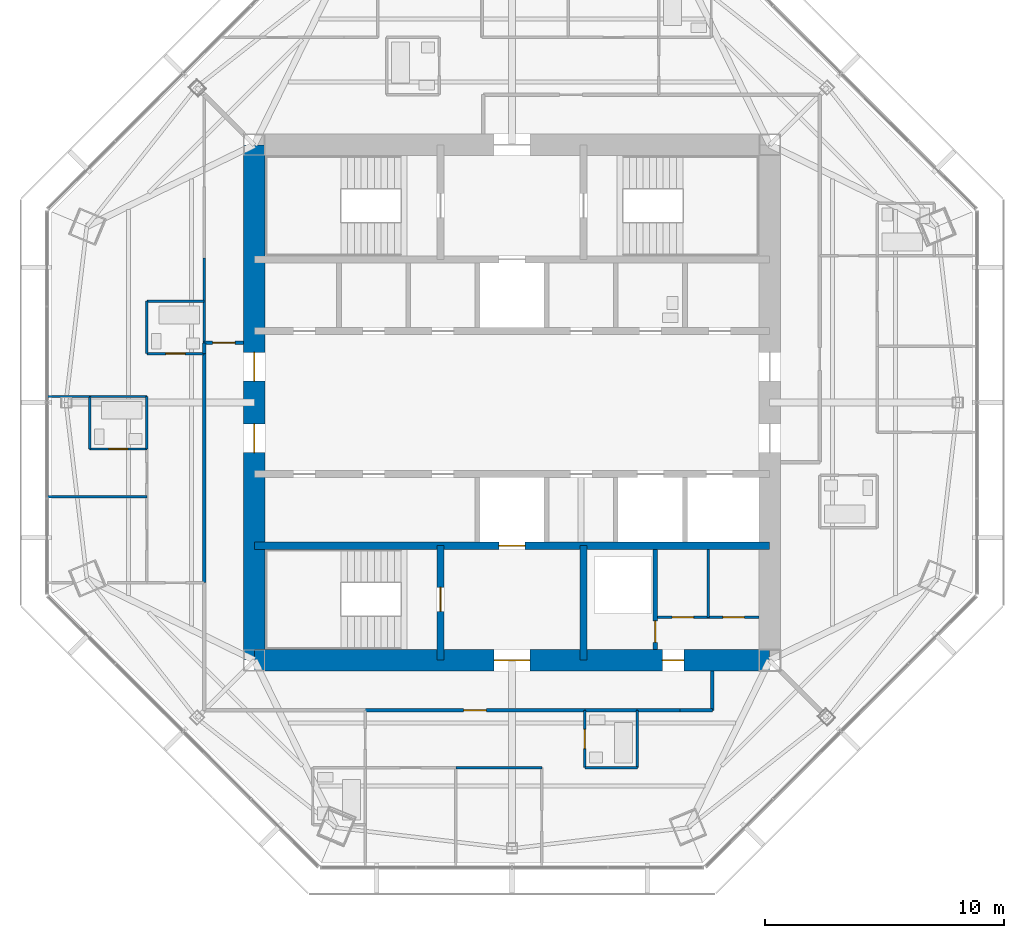
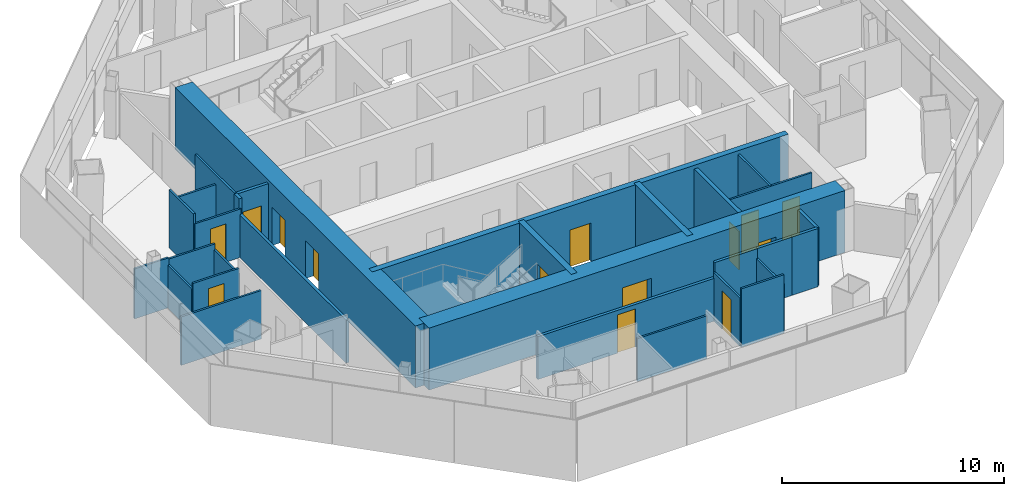
# One storey, part 9 of 15: 30 walls, 14 doors, 14 openings.
"""IFC4 building model written with IfcOpenShell, lengths in metres."""

from ifc_helpers import new_model, si_unit, direction, frame, frame_2d, origin, place, context, subcontext, project, spatial, rectangle, extrude, material, layer, layer_set, type_object, element, fill, save


model = new_model("IFC4")

# Units and contexts
model_context = context("Model", 3, precision=1e-05, world=origin(), true_north=direction((0.0, 1.0)))
body_context = subcontext(model_context, "Body", "Model", "MODEL_VIEW")
ifc_project = project(units=[si_unit("LENGTHUNIT", "METRE"), si_unit("AREAUNIT", "SQUARE_METRE"), si_unit("VOLUMEUNIT", "CUBIC_METRE"), si_unit("PLANEANGLEUNIT", "RADIAN"), si_unit("MASSUNIT", "GRAM", prefix="KILO")], contexts=[model_context])

# Site, building, storey
site_placement = place(None, origin())
site = spatial("IfcSite", under=ifc_project, at=site_placement, CompositionType="ELEMENT")
building_placement = place(site_placement, origin())
building = spatial("IfcBuilding", under=site, at=building_placement, Name="Mashrafa Tower", CompositionType="ELEMENT")
storey_placement = place(building_placement, frame((0.0, 0.0, 301.39990234375)))
storey = spatial("IfcBuildingStorey", under=building, at=storey_placement, Name="L74", CompositionType="ELEMENT", Elevation=301.39990234375)

# Wall, opening, door
ifc_material_1 = material(Name="Concrete masonry unit", Category="masonry")
ifc_layer_1 = layer(ifc_material_1, 0.199951171875)
ifc_layer_set_1 = layer_set([ifc_layer_1], Name="Blockwork wall 200 2 hr")
wall_type_1 = type_object("IfcWallType", Name="Blockwork wall 200 2 hr", PredefinedType="PARTITIONING", material=ifc_layer_set_1)
wall_1_placement = place(storey_placement, frame((6.0, -10.35009765625, 0.0), z_axis=(0.0, 0.0, 1.0), x_axis=(0.0, 1.0, 0.0)))
wall_1 = element("IfcWall", 1, at=wall_1_placement, inside=storey, type_object=wall_type_1, Name="Riser enclosure wall L74", PredefinedType="PARTITIONING", context=body_context, shape_type="SweptSolid", body=[
    extrude(rectangle(XDim=4.2001953125, YDim=0.199951171875, at=frame_2d((2.10009765625, 0.0))), origin(), (0.0, 0.0, 1.0), 3.2001953125),
])
opening_1_placement = place(wall_1_placement, frame((0.300048828125, 0.0, 0.0)))
opening_1 = element("IfcOpeningElement", 2, at=opening_1_placement, cuts=wall_1, Name="Opening 74.037", PredefinedType="OPENING", context=body_context, shape_type="SweptSolid", body=[
    extrude(rectangle(XDim=0.89990234375, YDim=2.10009765625, at=frame_2d((0.449951171875, 1.050048828125))), frame((0.0, 0.10986328125, 0.0), z_axis=(0.0, -1.0, 0.0), x_axis=(1.0, 0.0, 0.0)), (0.0, 0.0, 1.0), 0.219970703125),
])
ifc_material_2 = material(Name="Steel door", Category="steel")
door_type_1 = type_object("IfcDoorType", Name="Service door 900 x 2100 90 min", OperationType="USERDEFINED", PredefinedType="DOOR", material=ifc_material_2)
door_1_placement = place(opening_1_placement, origin())
door_1 = element("IfcDoor", 3, at=door_1_placement, inside=storey, type_object=door_type_1, Name="Riser door L74", OperationType="SINGLE_SWING_LEFT", OverallHeight=2.10009765625, OverallWidth=0.89990234375, PredefinedType="DOOR", context=body_context, shape_type="SweptSolid", body=[
    extrude(rectangle(XDim=0.89990234375, YDim=2.10009765625, at=frame_2d((0.449951171875, 1.050048828125))), frame((0.0, 0.02490234375, 0.0), z_axis=(0.0, -1.0, 0.0), x_axis=(1.0, 0.0, 0.0)), (0.0, 0.0, 1.0), 0.050048828125),
])
fill(opening_1, door_1)

ifc_material_3 = material(Name="Concrete C50/60", Category="concrete")
ifc_layer_2 = layer(ifc_material_3, 0.300048828125)
ifc_layer_set_2 = layer_set([ifc_layer_2], Name="Core wall 300 C50/60")
wall_type_2 = type_object("IfcWallType", Name="Core wall 300 C50/60", PredefinedType="SOLIDWALL", material=ifc_layer_set_2)
wall_2_placement = place(storey_placement, frame((-10.800048828125, -6.0, 0.0), z_axis=(0.0, 0.0, 1.0), x_axis=(1.0, 0.0, 0.0)))
wall_2 = element("IfcWall", 4, at=wall_2_placement, inside=storey, type_object=wall_type_2, Name="Core wall CB-S L74", PredefinedType="SOLIDWALL", context=body_context, shape_type="SweptSolid", body=[
    extrude(rectangle(XDim=21.60009765625, YDim=0.300048828125, at=frame_2d((10.800048828125, 0.0))), origin(), (0.0, 0.0, 1.0), 3.400146484375),
])
opening_2_placement = place(wall_2_placement, frame((10.25, 0.0, 0.0)))
opening_2 = element("IfcOpeningElement", 5, at=opening_2_placement, cuts=wall_2, Name="Opening 74.F2", PredefinedType="OPENING", context=body_context, shape_type="SweptSolid", body=[
    extrude(rectangle(XDim=1.10009765625, YDim=2.10009765625, at=frame_2d((0.550048828125, 1.050048828125))), frame((0.0, 0.159912109375, 0.0), z_axis=(0.0, -1.0, 0.0), x_axis=(1.0, 0.0, 0.0)), (0.0, 0.0, 1.0), 0.320068359375),
])
ifc_material_4 = material(Name="Steel door", Category="steel")
door_type_2 = type_object("IfcDoorType", Name="Lift landing door 1100 x 2100 90 min", OperationType="DOUBLE_DOOR_SLIDING", PredefinedType="DOOR", material=ifc_material_4)
door_2_placement = place(opening_2_placement, origin())
door_2 = element("IfcDoor", 6, at=door_2_placement, inside=storey, type_object=door_type_2, Name="Lift landing door F2 L74", OperationType="DOUBLE_DOOR_SLIDING", OverallHeight=2.10009765625, OverallWidth=1.10009765625, PredefinedType="DOOR", context=body_context, shape_type="SweptSolid", body=[
    extrude(rectangle(XDim=1.10009765625, YDim=2.10009765625, at=frame_2d((0.550048828125, 1.050048828125))), frame((0.0, 0.02490234375, 0.0), z_axis=(0.0, -1.0, 0.0), x_axis=(1.0, 0.0, 0.0)), (0.0, 0.0, 1.0), 0.050048828125),
])
fill(opening_2, door_2)

wall_3_placement = place(storey_placement, frame((-3.0, -6.0, 0.0), z_axis=(0.0, 0.0, 1.0), x_axis=(0.0, -1.0, 0.0)))
wall_3 = element("IfcWall", 7, at=wall_3_placement, inside=storey, type_object=wall_type_2, Name="Core wall CX-SW L74", PredefinedType="SOLIDWALL", context=body_context, shape_type="SweptSolid", body=[
    extrude(rectangle(XDim=4.800048828125, YDim=0.300048828125, at=frame_2d((2.39990234375, 0.0))), origin(), (0.0, 0.0, 1.0), 3.400146484375),
])
opening_3_placement = place(wall_3_placement, frame((1.75, 0.0, 0.0)))
opening_3 = element("IfcOpeningElement", 8, at=opening_3_placement, cuts=wall_3, Name="Opening 74.035", PredefinedType="OPENING", context=body_context, shape_type="SweptSolid", body=[
    extrude(rectangle(XDim=1.0, YDim=2.10009765625, at=frame_2d((0.5, 1.050048828125))), frame((0.0, 0.159912109375, 0.0), z_axis=(0.0, -1.0, 0.0), x_axis=(1.0, 0.0, 0.0)), (0.0, 0.0, 1.0), 0.320068359375),
])
ifc_material_5 = material(Name="Steel door", Category="steel")
door_type_3 = type_object("IfcDoorType", Name="Stair door 1000 x 2100 90 min", OperationType="USERDEFINED", PredefinedType="DOOR", material=ifc_material_5)
door_3_placement = place(opening_3_placement, frame((1.0, 0.0, 0.0), z_axis=(0.0, 0.0, 1.0), x_axis=(-1.0, 0.0, 0.0)))
door_3 = element("IfcDoor", 9, at=door_3_placement, inside=storey, type_object=door_type_3, Name="Stair S3 door L74", OperationType="SINGLE_SWING_RIGHT", OverallHeight=2.10009765625, OverallWidth=1.0, PredefinedType="DOOR", context=body_context, shape_type="SweptSolid", body=[
    extrude(rectangle(XDim=1.0, YDim=2.10009765625, at=frame_2d((0.5, 1.050048828125))), frame((0.0, 0.02490234375, 0.0), z_axis=(0.0, -1.0, 0.0), x_axis=(1.0, 0.0, 0.0)), (0.0, 0.0, 1.0), 0.050048828125),
])
fill(opening_3, door_3)

# Wall
wall_4_placement = place(storey_placement, frame((3.0, -6.0, 0.0), z_axis=(0.0, 0.0, 1.0), x_axis=(0.0, -1.0, 0.0)))
element("IfcWall", 10, at=wall_4_placement, inside=storey, type_object=wall_type_2, Name="Core wall CX-SE L74", PredefinedType="SOLIDWALL", context=body_context, shape_type="SweptSolid", body=[
    extrude(rectangle(XDim=4.800048828125, YDim=0.300048828125, at=frame_2d((2.39990234375, 0.0))), origin(), (0.0, 0.0, 1.0), 3.400146484375),
])

# Wall, openings, doors
ifc_material_6 = material(Name="Concrete C50/60", Category="concrete")
ifc_layer_3 = layer(ifc_material_6, 0.89990234375)
ifc_layer_set_3 = layer_set([ifc_layer_3], Name="Core wall 900 C50/60")
wall_type_3 = type_object("IfcWallType", Name="Core wall 900 C50/60", PredefinedType="SOLIDWALL", material=ifc_layer_set_3)
wall_5_placement = place(storey_placement, frame((-10.800048828125, -10.800048828125, 0.0), z_axis=(0.0, 0.0, 1.0), x_axis=(1.0, 0.0, 0.0)))
wall_5 = element("IfcWall", 11, at=wall_5_placement, inside=storey, type_object=wall_type_3, Name="Core wall CW-S L74", PredefinedType="SOLIDWALL", context=body_context, shape_type="SweptSolid", body=[
    extrude(rectangle(XDim=21.60009765625, YDim=0.89990234375, at=frame_2d((10.800048828125, 0.0))), origin(), (0.0, 0.0, 1.0), 3.400146484375),
])
opening_4_placement = place(wall_5_placement, frame((10.050048828125, 0.0, 0.0)))
opening_4 = element("IfcOpeningElement", 12, at=opening_4_placement, cuts=wall_5, Name="Opening 74.032", PredefinedType="OPENING", context=body_context, shape_type="SweptSolid", body=[
    extrude(rectangle(XDim=1.5, YDim=2.10009765625, at=frame_2d((0.75, 1.050048828125))), frame((0.0, 0.4599609375, 0.0), z_axis=(0.0, -1.0, 0.0), x_axis=(1.0, 0.0, 0.0)), (0.0, 0.0, 1.0), 0.919921875),
])
opening_5_placement = place(wall_5_placement, frame((17.10009765625, 0.0, 0.0)))
opening_5 = element("IfcOpeningElement", 13, at=opening_5_placement, cuts=wall_5, Name="Opening 74.036", PredefinedType="OPENING", context=body_context, shape_type="SweptSolid", body=[
    extrude(rectangle(XDim=0.89990234375, YDim=2.10009765625, at=frame_2d((0.449951171875, 1.050048828125))), frame((0.0, 0.4599609375, 0.0), z_axis=(0.0, -1.0, 0.0), x_axis=(1.0, 0.0, 0.0)), (0.0, 0.0, 1.0), 0.919921875),
])
ifc_material_7 = material(Name="Steel door", Category="steel")
door_type_4 = type_object("IfcDoorType", Name="Lobby door pair 1500 x 2100 90 min", OperationType="DOUBLE_DOOR_SINGLE_SWING", PredefinedType="DOOR", material=ifc_material_7)
door_4_placement = place(opening_4_placement, origin())
door_4 = element("IfcDoor", 14, at=door_4_placement, inside=storey, type_object=door_type_4, Name="Fire-fighting lobby F2 door L74", OperationType="DOUBLE_DOOR_SINGLE_SWING", OverallHeight=2.10009765625, OverallWidth=1.5, PredefinedType="DOOR", context=body_context, shape_type="SweptSolid", body=[
    extrude(rectangle(XDim=1.5, YDim=2.10009765625, at=frame_2d((0.75, 1.050048828125))), frame((0.0, 0.02490234375, 0.0), z_axis=(0.0, -1.0, 0.0), x_axis=(1.0, 0.0, 0.0)), (0.0, 0.0, 1.0), 0.050048828125),
])
fill(opening_4, door_4)
door_5_placement = place(opening_5_placement, frame((0.89990234375, 0.0, 0.0), z_axis=(0.0, 0.0, 1.0), x_axis=(-1.0, 0.0, 0.0)))
door_5 = element("IfcDoor", 15, at=door_5_placement, inside=storey, type_object=door_type_1, Name="Services Lobby L74 door", OperationType="SINGLE_SWING_LEFT", OverallHeight=2.10009765625, OverallWidth=0.89990234375, PredefinedType="DOOR", context=body_context, shape_type="SweptSolid", body=[
    extrude(rectangle(XDim=0.89990234375, YDim=2.10009765625, at=frame_2d((0.449951171875, 1.050048828125))), frame((0.0, 0.02490234375, 0.0), z_axis=(0.0, -1.0, 0.0), x_axis=(1.0, 0.0, 0.0)), (0.0, 0.0, 1.0), 0.050048828125),
])
fill(opening_5, door_5)

wall_6_placement = place(storey_placement, frame((-10.800048828125, 10.800048828125, 0.0), z_axis=(0.0, 0.0, 1.0), x_axis=(0.0, -1.0, 0.0)))
wall_6 = element("IfcWall", 16, at=wall_6_placement, inside=storey, type_object=wall_type_3, Name="Core wall CW-W L74", PredefinedType="SOLIDWALL", context=body_context, shape_type="SweptSolid", body=[
    extrude(rectangle(XDim=21.60009765625, YDim=0.89990234375, at=frame_2d((10.800048828125, 0.0))), origin(), (0.0, 0.0, 1.0), 3.400146484375),
])
opening_6_placement = place(wall_6_placement, frame((8.699951171875, 0.0, 0.0)))
opening_6 = element("IfcOpeningElement", 17, at=opening_6_placement, cuts=wall_6, Name="Opening 74.028", PredefinedType="OPENING", context=body_context, shape_type="SweptSolid", body=[
    extrude(rectangle(XDim=1.199951171875, YDim=2.10009765625, at=frame_2d((0.60009765625, 1.050048828125))), frame((0.0, 0.4599609375, 0.0), z_axis=(0.0, -1.0, 0.0), x_axis=(1.0, 0.0, 0.0)), (0.0, 0.0, 1.0), 0.919921875),
])
opening_7_placement = place(wall_6_placement, frame((11.699951171875, 0.0, 0.0)))
opening_7 = element("IfcOpeningElement", 18, at=opening_7_placement, cuts=wall_6, Name="Opening 74.030", PredefinedType="OPENING", context=body_context, shape_type="SweptSolid", body=[
    extrude(rectangle(XDim=1.199951171875, YDim=2.10009765625, at=frame_2d((0.60009765625, 1.050048828125))), frame((0.0, 0.4599609375, 0.0), z_axis=(0.0, -1.0, 0.0), x_axis=(1.0, 0.0, 0.0)), (0.0, 0.0, 1.0), 0.919921875),
])
ifc_material_8 = material(Name="Steel door", Category="steel")
door_type_5 = type_object("IfcDoorType", Name="Lift hall door 1200 x 2100 90 min", OperationType="USERDEFINED", PredefinedType="DOOR", material=ifc_material_8)
door_6_placement = place(opening_6_placement, origin())
door_6 = element("IfcDoor", 19, at=door_6_placement, inside=storey, type_object=door_type_5, Name="Lift hall door west L74", OperationType="SINGLE_SWING_LEFT", OverallHeight=2.10009765625, OverallWidth=1.199951171875, PredefinedType="DOOR", context=body_context, shape_type="SweptSolid", body=[
    extrude(rectangle(XDim=1.199951171875, YDim=2.10009765625, at=frame_2d((0.60009765625, 1.050048828125))), frame((0.0, 0.02490234375, 0.0), z_axis=(0.0, -1.0, 0.0), x_axis=(1.0, 0.0, 0.0)), (0.0, 0.0, 1.0), 0.050048828125),
])
fill(opening_6, door_6)
door_7_placement = place(opening_7_placement, frame((1.199951171875, 0.0, 0.0), z_axis=(0.0, 0.0, 1.0), x_axis=(-1.0, 0.0, 0.0)))
door_7 = element("IfcDoor", 20, at=door_7_placement, inside=storey, type_object=door_type_5, Name="Lift hall door west L74", OperationType="SINGLE_SWING_RIGHT", OverallHeight=2.10009765625, OverallWidth=1.199951171875, PredefinedType="DOOR", context=body_context, shape_type="SweptSolid", body=[
    extrude(rectangle(XDim=1.199951171875, YDim=2.10009765625, at=frame_2d((0.60009765625, 1.050048828125))), frame((0.0, 0.02490234375, 0.0), z_axis=(0.0, -1.0, 0.0), x_axis=(1.0, 0.0, 0.0)), (0.0, 0.0, 1.0), 0.050048828125),
])
fill(opening_7, door_7)

# Walls
ifc_material_9 = material(Name="Gypsum board on steel studs", Category="steel")
ifc_layer_4 = layer(ifc_material_9, 0.14990234375)
ifc_layer_set_4 = layer_set([ifc_layer_4], Name="Corridor partition 150 1 hr")
wall_type_4 = type_object("IfcWallType", Name="Corridor partition 150 1 hr", PredefinedType="PARTITIONING", material=ifc_layer_set_4)
wall_7_placement = place(storey_placement, frame((-12.89990234375, 2.5, 0.0), z_axis=(0.0, 0.0, 1.0), x_axis=(0.0, -1.0, 0.0)))
element("IfcWall", 21, at=wall_7_placement, inside=storey, type_object=wall_type_4, Name="Corridor wall L74-007", PredefinedType="PARTITIONING", context=body_context, shape_type="SweptSolid", body=[
    extrude(rectangle(XDim=0.450927734375, YDim=0.14990234375, at=frame_2d((0.2255859375, 0.0))), origin(), (0.0, 0.0, 1.0), 3.2001953125),
])
wall_8_placement = place(storey_placement, frame((-12.89990234375, 2.051025390625, 0.0), z_axis=(0.0, 0.0, 1.0), x_axis=(0.0, -1.0, 0.0)))
element("IfcWall", 22, at=wall_8_placement, inside=storey, type_object=wall_type_4, Name="Corridor wall L74-009", PredefinedType="PARTITIONING", context=body_context, shape_type="SweptSolid", body=[
    extrude(rectangle(XDim=9.60205078125, YDim=0.14990234375, at=frame_2d((4.801025390625, 0.0))), origin(), (0.0, 0.0, 1.0), 2.349365234375),
])
wall_9_placement = place(storey_placement, frame((5.2490234375, -12.89990234375, 0.0), z_axis=(0.0, 0.0, 1.0), x_axis=(1.0, 0.0, 0.0)))
element("IfcWall", 23, at=wall_9_placement, inside=storey, type_object=wall_type_4, Name="Corridor wall L74-010", PredefinedType="PARTITIONING", context=body_context, shape_type="SweptSolid", body=[
    extrude(rectangle(XDim=1.802001953125, YDim=0.14990234375, at=frame_2d((0.90087890625, 0.0))), origin(), (0.0, 0.0, 1.0), 3.2001953125),
])
wall_10_placement = place(storey_placement, frame((3.049072265625, -12.89990234375, 0.0), z_axis=(0.0, 0.0, 1.0), x_axis=(1.0, 0.0, 0.0)))
element("IfcWall", 24, at=wall_10_placement, inside=storey, type_object=wall_type_4, Name="Corridor wall L74-011", PredefinedType="PARTITIONING", context=body_context, shape_type="SweptSolid", body=[
    extrude(rectangle(XDim=2.201904296875, YDim=0.14990234375, at=frame_2d((1.10107421875, 0.0))), origin(), (0.0, 0.0, 1.0), 3.2001953125),
])

# Wall, opening, door
wall_11_placement = place(storey_placement, frame((-6.15087890625, -12.89990234375, 0.0), z_axis=(0.0, 0.0, 1.0), x_axis=(1.0, 0.0, 0.0)))
wall_11 = element("IfcWall", 25, at=wall_11_placement, inside=storey, type_object=wall_type_4, Name="Corridor wall L74-013", PredefinedType="PARTITIONING", context=body_context, shape_type="SweptSolid", body=[
    extrude(rectangle(XDim=9.201904296875, YDim=0.14990234375, at=frame_2d((4.60107421875, 0.0))), origin(), (0.0, 0.0, 1.0), 2.349365234375),
])
opening_8_placement = place(wall_11_placement, frame((4.1259765625, 0.0, 0.0)))
opening_8 = element("IfcOpeningElement", 26, at=opening_8_placement, cuts=wall_11, Name="Opening 74.025", PredefinedType="OPENING", context=body_context, shape_type="SweptSolid", body=[
    extrude(rectangle(XDim=0.949951171875, YDim=2.10009765625, at=frame_2d((0.47509765625, 1.050048828125))), frame((0.0, 0.0849609375, 0.0), z_axis=(0.0, -1.0, 0.0), x_axis=(1.0, 0.0, 0.0)), (0.0, 0.0, 1.0), 0.169921875),
])
ifc_material_10 = material(Name="Steel door", Category="steel")
door_type_6 = type_object("IfcDoorType", Name="Residence entrance door 950 x 2100 20 min", OperationType="USERDEFINED", PredefinedType="DOOR", material=ifc_material_10)
door_8_placement = place(opening_8_placement, frame((0.949951171875, 0.0, 0.0), z_axis=(0.0, 0.0, 1.0), x_axis=(-1.0, 0.0, 0.0)))
door_8 = element("IfcDoor", 27, at=door_8_placement, inside=storey, type_object=door_type_6, Name="Apartment 7404 Living Room door", OperationType="SINGLE_SWING_RIGHT", OverallHeight=2.10009765625, OverallWidth=0.949951171875, PredefinedType="DOOR", context=body_context, shape_type="SweptSolid", body=[
    extrude(rectangle(XDim=0.949951171875, YDim=2.10009765625, at=frame_2d((0.47509765625, 1.050048828125))), frame((0.0, 0.02490234375, 0.0), z_axis=(0.0, -1.0, 0.0), x_axis=(1.0, 0.0, 0.0)), (0.0, 0.0, 1.0), 0.050048828125),
])
fill(opening_8, door_8)

# Walls
wall_12_placement = place(storey_placement, frame((7.049072265625, -12.89990234375, 0.0), z_axis=(0.0, 0.0, 1.0), x_axis=(1.0, 0.0, 0.0)))
element("IfcWall", 28, at=wall_12_placement, inside=storey, type_object=wall_type_4, Name="Corridor wall L74-014", PredefinedType="PARTITIONING", context=body_context, shape_type="SweptSolid", body=[
    extrude(rectangle(XDim=1.350830078125, YDim=0.14990234375, at=frame_2d((0.67529296875, 0.0))), origin(), (0.0, 0.0, 1.0), 3.2001953125),
])
wall_13_placement = place(storey_placement, frame((8.39990234375, -12.89990234375, 0.0), z_axis=(0.0, 0.0, 1.0), x_axis=(0.0, 1.0, 0.0)))
element("IfcWall", 29, at=wall_13_placement, inside=storey, type_object=wall_type_4, Name="Corridor wall L74-015", PredefinedType="PARTITIONING", context=body_context, shape_type="SweptSolid", body=[
    extrude(rectangle(XDim=1.64990234375, YDim=0.14990234375, at=frame_2d((0.824951171875, 0.0))), origin(), (0.0, 0.0, 1.0), 3.2001953125),
])

# Wall, opening, door
wall_14_placement = place(storey_placement, frame((-11.25, 2.5, 0.0), z_axis=(0.0, 0.0, 1.0), x_axis=(-1.0, 0.0, 0.0)))
wall_14 = element("IfcWall", 30, at=wall_14_placement, inside=storey, type_object=wall_type_4, Name="Corridor wall L74-016", PredefinedType="PARTITIONING", context=body_context, shape_type="SweptSolid", body=[
    extrude(rectangle(XDim=1.64990234375, YDim=0.14990234375, at=frame_2d((0.824951171875, 0.0))), origin(), (0.0, 0.0, 1.0), 3.2001953125),
])
opening_9_placement = place(wall_14_placement, frame((0.35009765625, 0.0, 0.0)))
opening_9 = element("IfcOpeningElement", 31, at=opening_9_placement, cuts=wall_14, Name="Opening 74.026", PredefinedType="OPENING", context=body_context, shape_type="SweptSolid", body=[
    extrude(rectangle(XDim=0.949951171875, YDim=2.10009765625, at=frame_2d((0.47509765625, 1.050048828125))), frame((0.0, 0.0849609375, 0.0), z_axis=(0.0, -1.0, 0.0), x_axis=(1.0, 0.0, 0.0)), (0.0, 0.0, 1.0), 0.169921875),
])
door_9_placement = place(opening_9_placement, origin())
door_9 = element("IfcDoor", 32, at=door_9_placement, inside=storey, type_object=door_type_6, Name="Apartment 7403 Entrance Hall door", OperationType="SINGLE_SWING_RIGHT", OverallHeight=2.10009765625, OverallWidth=0.949951171875, PredefinedType="DOOR", context=body_context, shape_type="SweptSolid", body=[
    extrude(rectangle(XDim=0.949951171875, YDim=2.10009765625, at=frame_2d((0.47509765625, 1.050048828125))), frame((0.0, 0.02490234375, 0.0), z_axis=(0.0, -1.0, 0.0), x_axis=(1.0, 0.0, 0.0)), (0.0, 0.0, 1.0), 0.050048828125),
])
fill(opening_9, door_9)

# Walls
ifc_material_11 = material(Name="Gypsum board on steel studs", Category="steel")
ifc_layer_5 = layer(ifc_material_11, 0.10009765625)
ifc_layer_set_5 = layer_set([ifc_layer_5], Name="Partition 100")
wall_type_5 = type_object("IfcWallType", Name="Partition 100", PredefinedType="PARTITIONING", material=ifc_layer_set_5)
wall_15_placement = place(storey_placement, frame((-15.300048828125, 4.25, 0.0), z_axis=(0.0, 0.0, 1.0), x_axis=(1.0, 0.0, 0.0)))
element("IfcWall", 33, at=wall_15_placement, inside=storey, type_object=wall_type_5, Name="Partition wall L74-052", PredefinedType="PARTITIONING", context=body_context, shape_type="SweptSolid", body=[
    extrude(rectangle(XDim=2.400146484375, YDim=0.10009765625, at=frame_2d((1.2001953125, 0.0))), origin(), (0.0, 0.0, 1.0), 2.661865234375),
])
wall_16_placement = place(storey_placement, frame((-12.89990234375, 6.050048828125, 0.0), z_axis=(0.0, 0.0, 1.0), x_axis=(0.0, -1.0, 0.0)))
element("IfcWall", 34, at=wall_16_placement, inside=storey, type_object=wall_type_5, Name="Partition wall L74-053", PredefinedType="PARTITIONING", context=body_context, shape_type="SweptSolid", body=[
    extrude(rectangle(XDim=3.551025390625, YDim=0.10009765625, at=frame_2d((1.775390625, 0.0))), origin(), (0.0, 0.0, 1.0), 3.2001953125),
])
wall_17_placement = place(storey_placement, frame((-15.300048828125, 4.25, 0.0), z_axis=(0.0, 0.0, 1.0), x_axis=(0.0, -1.0, 0.0)))
element("IfcWall", 35, at=wall_17_placement, inside=storey, type_object=wall_type_5, Name="Partition wall L74-054", PredefinedType="PARTITIONING", context=body_context, shape_type="SweptSolid", body=[
    extrude(rectangle(XDim=2.199951171875, YDim=0.10009765625, at=frame_2d((1.10009765625, 0.0))), origin(), (0.0, 0.0, 1.0), 3.2001953125),
])

# Wall, opening, door
wall_18_placement = place(storey_placement, frame((-15.300048828125, 2.050048828125, 0.0), z_axis=(0.0, 0.0, 1.0), x_axis=(1.0, 0.0, 0.0)))
wall_18 = element("IfcWall", 36, at=wall_18_placement, inside=storey, type_object=wall_type_5, Name="Partition wall L74-055", PredefinedType="PARTITIONING", context=body_context, shape_type="SweptSolid", body=[
    extrude(rectangle(XDim=2.400146484375, YDim=0.10009765625, at=frame_2d((1.2001953125, 0.0))), origin(), (0.0, 0.0, 1.0), 2.661865234375),
])
opening_10_placement = place(wall_18_placement, frame((0.800048828125, 0.0, 0.0)))
opening_10 = element("IfcOpeningElement", 37, at=opening_10_placement, cuts=wall_18, Name="Opening 74.014", PredefinedType="OPENING", context=body_context, shape_type="SweptSolid", body=[
    extrude(rectangle(XDim=0.800048828125, YDim=2.10009765625, at=frame_2d((0.39990234375, 1.050048828125))), frame((0.0, 0.06005859375, 0.0), z_axis=(0.0, -1.0, 0.0), x_axis=(1.0, 0.0, 0.0)), (0.0, 0.0, 1.0), 0.1201171875),
])
ifc_material_12 = material(Name="Timber door", Category="wood")
door_type_7 = type_object("IfcDoorType", Name="Bathroom door 800 x 2100", OperationType="USERDEFINED", PredefinedType="DOOR", material=ifc_material_12)
door_10_placement = place(opening_10_placement, origin())
door_10 = element("IfcDoor", 38, at=door_10_placement, inside=storey, type_object=door_type_7, Name="Apartment 7403 Bathroom door", OperationType="SINGLE_SWING_RIGHT", OverallHeight=2.10009765625, OverallWidth=0.800048828125, PredefinedType="DOOR", context=body_context, shape_type="SweptSolid", body=[
    extrude(rectangle(XDim=0.800048828125, YDim=2.10009765625, at=frame_2d((0.39990234375, 1.050048828125))), frame((0.0, 0.02490234375, 0.0), z_axis=(0.0, -1.0, 0.0), x_axis=(1.0, 0.0, 0.0)), (0.0, 0.0, 1.0), 0.050048828125),
])
fill(opening_10, door_10)

# Wall
wall_19_placement = place(storey_placement, frame((-17.699951171875, 0.25, 0.0), z_axis=(0.0, 0.0, 1.0), x_axis=(0.0, -1.0, 0.0)))
element("IfcWall", 39, at=wall_19_placement, inside=storey, type_object=wall_type_5, Name="Partition wall L74-057", PredefinedType="PARTITIONING", context=body_context, shape_type="SweptSolid", body=[
    extrude(rectangle(XDim=2.199951171875, YDim=0.10009765625, at=frame_2d((1.10009765625, 0.0))), origin(), (0.0, 0.0, 1.0), 2.349365234375),
])

# Wall, opening, door
wall_20_placement = place(storey_placement, frame((-17.699951171875, -1.949951171875, 0.0), z_axis=(0.0, 0.0, 1.0), x_axis=(1.0, 0.0, 0.0)))
wall_20 = element("IfcWall", 40, at=wall_20_placement, inside=storey, type_object=wall_type_5, Name="Partition wall L74-058", PredefinedType="PARTITIONING", context=body_context, shape_type="SweptSolid", body=[
    extrude(rectangle(XDim=2.39990234375, YDim=0.10009765625, at=frame_2d((1.199951171875, 0.0))), origin(), (0.0, 0.0, 1.0), 2.661865234375),
])
opening_11_placement = place(wall_20_placement, frame((0.800048828125, 0.0, 0.0)))
opening_11 = element("IfcOpeningElement", 41, at=opening_11_placement, cuts=wall_20, Name="Opening 74.015", PredefinedType="OPENING", context=body_context, shape_type="SweptSolid", body=[
    extrude(rectangle(XDim=0.800048828125, YDim=2.10009765625, at=frame_2d((0.39990234375, 1.050048828125))), frame((0.0, 0.06005859375, 0.0), z_axis=(0.0, -1.0, 0.0), x_axis=(1.0, 0.0, 0.0)), (0.0, 0.0, 1.0), 0.1201171875),
])
door_11_placement = place(opening_11_placement, origin())
door_11 = element("IfcDoor", 42, at=door_11_placement, inside=storey, type_object=door_type_7, Name="Apartment 7403 En-suite Bathroom door", OperationType="SINGLE_SWING_RIGHT", OverallHeight=2.10009765625, OverallWidth=0.800048828125, PredefinedType="DOOR", context=body_context, shape_type="SweptSolid", body=[
    extrude(rectangle(XDim=0.800048828125, YDim=2.10009765625, at=frame_2d((0.39990234375, 1.050048828125))), frame((0.0, 0.02490234375, 0.0), z_axis=(0.0, -1.0, 0.0), x_axis=(1.0, 0.0, 0.0)), (0.0, 0.0, 1.0), 0.050048828125),
])
fill(opening_11, door_11)

# Walls
wall_21_placement = place(storey_placement, frame((-15.300048828125, -1.949951171875, 0.0), z_axis=(0.0, 0.0, 1.0), x_axis=(0.0, 1.0, 0.0)))
element("IfcWall", 43, at=wall_21_placement, inside=storey, type_object=wall_type_5, Name="Partition wall L74-059", PredefinedType="PARTITIONING", context=body_context, shape_type="SweptSolid", body=[
    extrude(rectangle(XDim=2.199951171875, YDim=0.10009765625, at=frame_2d((1.10009765625, 0.0))), origin(), (0.0, 0.0, 1.0), 2.349365234375),
])
wall_22_placement = place(storey_placement, frame((-15.300048828125, 0.25, 0.0), z_axis=(0.0, 0.0, 1.0), x_axis=(-1.0, 0.0, 0.0)))
element("IfcWall", 44, at=wall_22_placement, inside=storey, type_object=wall_type_5, Name="Partition wall L74-060", PredefinedType="PARTITIONING", context=body_context, shape_type="SweptSolid", body=[
    extrude(rectangle(XDim=2.39990234375, YDim=0.10009765625, at=frame_2d((1.199951171875, 0.0))), origin(), (0.0, 0.0, 1.0), 2.661865234375),
])
wall_23_placement = place(storey_placement, frame((-19.470458984375, -3.949951171875, 0.0), z_axis=(0.0, 0.0, 1.0), x_axis=(1.0, 0.0, 0.0)))
element("IfcWall", 45, at=wall_23_placement, inside=storey, type_object=wall_type_5, Name="Partition wall L74-061", PredefinedType="PARTITIONING", context=body_context, shape_type="SweptSolid", body=[
    extrude(rectangle(XDim=4.17041015625, YDim=0.10009765625, at=frame_2d((2.085205078125, 0.0))), origin(), (0.0, 0.0, 1.0), 2.661865234375),
])
wall_24_placement = place(storey_placement, frame((-17.699951171875, 0.25, 0.0), z_axis=(0.0, 0.0, 1.0), x_axis=(-1.0, 0.0, 0.0)))
element("IfcWall", 46, at=wall_24_placement, inside=storey, type_object=wall_type_5, Name="Partition wall L74-062", PredefinedType="PARTITIONING", context=body_context, shape_type="SweptSolid", body=[
    extrude(rectangle(XDim=1.7705078125, YDim=0.10009765625, at=frame_2d((0.88525390625, 0.0))), origin(), (0.0, 0.0, 1.0), 2.740478515625),
])
wall_25_placement = place(storey_placement, frame((5.25, -12.89990234375, 0.0), z_axis=(0.0, 0.0, 1.0), x_axis=(0.0, -1.0, 0.0)))
element("IfcWall", 47, at=wall_25_placement, inside=storey, type_object=wall_type_5, Name="Partition wall L74-069", PredefinedType="PARTITIONING", context=body_context, shape_type="SweptSolid", body=[
    extrude(rectangle(XDim=2.400146484375, YDim=0.10009765625, at=frame_2d((1.2001953125, 0.0))), origin(), (0.0, 0.0, 1.0), 2.661865234375),
])

# Wall, opening, door
wall_26_placement = place(storey_placement, frame((3.050048828125, -12.89990234375, 0.0), z_axis=(0.0, 0.0, 1.0), x_axis=(0.0, -1.0, 0.0)))
wall_26 = element("IfcWall", 48, at=wall_26_placement, inside=storey, type_object=wall_type_5, Name="Partition wall L74-070", PredefinedType="PARTITIONING", context=body_context, shape_type="SweptSolid", body=[
    extrude(rectangle(XDim=2.400146484375, YDim=0.10009765625, at=frame_2d((1.2001953125, 0.0))), origin(), (0.0, 0.0, 1.0), 2.661865234375),
])
opening_12_placement = place(wall_26_placement, frame((0.800048828125, 0.0, 0.0)))
opening_12 = element("IfcOpeningElement", 49, at=opening_12_placement, cuts=wall_26, Name="Opening 74.020", PredefinedType="OPENING", context=body_context, shape_type="SweptSolid", body=[
    extrude(rectangle(XDim=0.800048828125, YDim=2.10009765625, at=frame_2d((0.39990234375, 1.050048828125))), frame((0.0, 0.06005859375, 0.0), z_axis=(0.0, -1.0, 0.0), x_axis=(1.0, 0.0, 0.0)), (0.0, 0.0, 1.0), 0.1201171875),
])
door_12_placement = place(opening_12_placement, origin())
door_12 = element("IfcDoor", 50, at=door_12_placement, inside=storey, type_object=door_type_7, Name="Apartment 7404 Bathroom door", OperationType="SINGLE_SWING_LEFT", OverallHeight=2.10009765625, OverallWidth=0.800048828125, PredefinedType="DOOR", context=body_context, shape_type="SweptSolid", body=[
    extrude(rectangle(XDim=0.800048828125, YDim=2.10009765625, at=frame_2d((0.39990234375, 1.050048828125))), frame((0.0, 0.02490234375, 0.0), z_axis=(0.0, -1.0, 0.0), x_axis=(1.0, 0.0, 0.0)), (0.0, 0.0, 1.0), 0.050048828125),
])
fill(opening_12, door_12)

# Walls
wall_27_placement = place(storey_placement, frame((3.050048828125, -15.300048828125, 0.0), z_axis=(0.0, 0.0, 1.0), x_axis=(1.0, 0.0, 0.0)))
element("IfcWall", 51, at=wall_27_placement, inside=storey, type_object=wall_type_5, Name="Partition wall L74-071", PredefinedType="PARTITIONING", context=body_context, shape_type="SweptSolid", body=[
    extrude(rectangle(XDim=2.199951171875, YDim=0.10009765625, at=frame_2d((1.10009765625, 0.0))), origin(), (0.0, 0.0, 1.0), 3.2001953125),
])
wall_28_placement = place(storey_placement, frame((1.25, -15.300048828125, 0.0), z_axis=(0.0, 0.0, 1.0), x_axis=(-1.0, 0.0, 0.0)))
element("IfcWall", 52, at=wall_28_placement, inside=storey, type_object=wall_type_5, Name="Partition wall L74-074", PredefinedType="PARTITIONING", context=body_context, shape_type="SweptSolid", body=[
    extrude(rectangle(XDim=3.60009765625, YDim=0.10009765625, at=frame_2d((1.800048828125, 0.0))), origin(), (0.0, 0.0, 1.0), 2.349365234375),
])

# Wall, openings, doors
ifc_material_13 = material(Name="Gypsum board on steel studs", Category="steel")
ifc_layer_6 = layer(ifc_material_13, 0.10009765625)
ifc_layer_set_6 = layer_set([ifc_layer_6], Name="Partition 100 1 hr")
wall_type_6 = type_object("IfcWallType", Name="Partition 100 1 hr", PredefinedType="PARTITIONING", material=ifc_layer_set_6)
wall_29_placement = place(storey_placement, frame((6.10009765625, -9.0, 0.0), z_axis=(0.0, 0.0, 1.0), x_axis=(1.0, 0.0, 0.0)))
wall_29 = element("IfcWall", 53, at=wall_29_placement, inside=storey, type_object=wall_type_6, Name="Services lobby partition A L74", PredefinedType="PARTITIONING", context=body_context, shape_type="SweptSolid", body=[
    extrude(rectangle(XDim=4.25, YDim=0.10009765625, at=frame_2d((2.125, 0.0))), origin(), (0.0, 0.0, 1.0), 3.2001953125),
])
opening_13_placement = place(wall_29_placement, frame((0.612548828125, 0.0, 0.0)))
opening_13 = element("IfcOpeningElement", 54, at=opening_13_placement, cuts=wall_29, Name="Opening 74.038", PredefinedType="OPENING", context=body_context, shape_type="SweptSolid", body=[
    extrude(rectangle(XDim=0.89990234375, YDim=2.10009765625, at=frame_2d((0.449951171875, 1.050048828125))), frame((0.0, 0.06005859375, 0.0), z_axis=(0.0, -1.0, 0.0), x_axis=(1.0, 0.0, 0.0)), (0.0, 0.0, 1.0), 0.1201171875),
])
opening_14_placement = place(wall_29_placement, frame((2.737548828125, 0.0, 0.0)))
opening_14 = element("IfcOpeningElement", 55, at=opening_14_placement, cuts=wall_29, Name="Opening 74.039", PredefinedType="OPENING", context=body_context, shape_type="SweptSolid", body=[
    extrude(rectangle(XDim=0.89990234375, YDim=2.10009765625, at=frame_2d((0.449951171875, 1.050048828125))), frame((0.0, 0.06005859375, 0.0), z_axis=(0.0, -1.0, 0.0), x_axis=(1.0, 0.0, 0.0)), (0.0, 0.0, 1.0), 0.1201171875),
])
ifc_material_14 = material(Name="Timber door", Category="wood")
door_type_8 = type_object("IfcDoorType", Name="Store door 900 x 2100", OperationType="USERDEFINED", PredefinedType="DOOR", material=ifc_material_14)
door_13_placement = place(opening_13_placement, origin())
door_13 = element("IfcDoor", 56, at=door_13_placement, inside=storey, type_object=door_type_8, Name="Communications Room L74 door", OperationType="SINGLE_SWING_RIGHT", OverallHeight=2.10009765625, OverallWidth=0.89990234375, PredefinedType="DOOR", context=body_context, shape_type="SweptSolid", body=[
    extrude(rectangle(XDim=0.89990234375, YDim=2.10009765625, at=frame_2d((0.449951171875, 1.050048828125))), frame((0.0, 0.02490234375, 0.0), z_axis=(0.0, -1.0, 0.0), x_axis=(1.0, 0.0, 0.0)), (0.0, 0.0, 1.0), 0.050048828125),
])
fill(opening_13, door_13)
door_14_placement = place(opening_14_placement, origin())
door_14 = element("IfcDoor", 57, at=door_14_placement, inside=storey, type_object=door_type_8, Name="Building Services Store L74 door", OperationType="SINGLE_SWING_LEFT", OverallHeight=2.10009765625, OverallWidth=0.89990234375, PredefinedType="DOOR", context=body_context, shape_type="SweptSolid", body=[
    extrude(rectangle(XDim=0.89990234375, YDim=2.10009765625, at=frame_2d((0.449951171875, 1.050048828125))), frame((0.0, 0.02490234375, 0.0), z_axis=(0.0, -1.0, 0.0), x_axis=(1.0, 0.0, 0.0)), (0.0, 0.0, 1.0), 0.050048828125),
])
fill(opening_14, door_14)

# Wall
wall_30_placement = place(storey_placement, frame((8.22509765625, -9.0, 0.0), z_axis=(0.0, 0.0, 1.0), x_axis=(0.0, 1.0, 0.0)))
element("IfcWall", 58, at=wall_30_placement, inside=storey, type_object=wall_type_6, Name="Services lobby partition B L74", PredefinedType="PARTITIONING", context=body_context, shape_type="SweptSolid", body=[
    extrude(rectangle(XDim=2.85009765625, YDim=0.10009765625, at=frame_2d((1.425048828125, 0.0))), origin(), (0.0, 0.0, 1.0), 3.2001953125),
])

save(model, "model.ifc")
